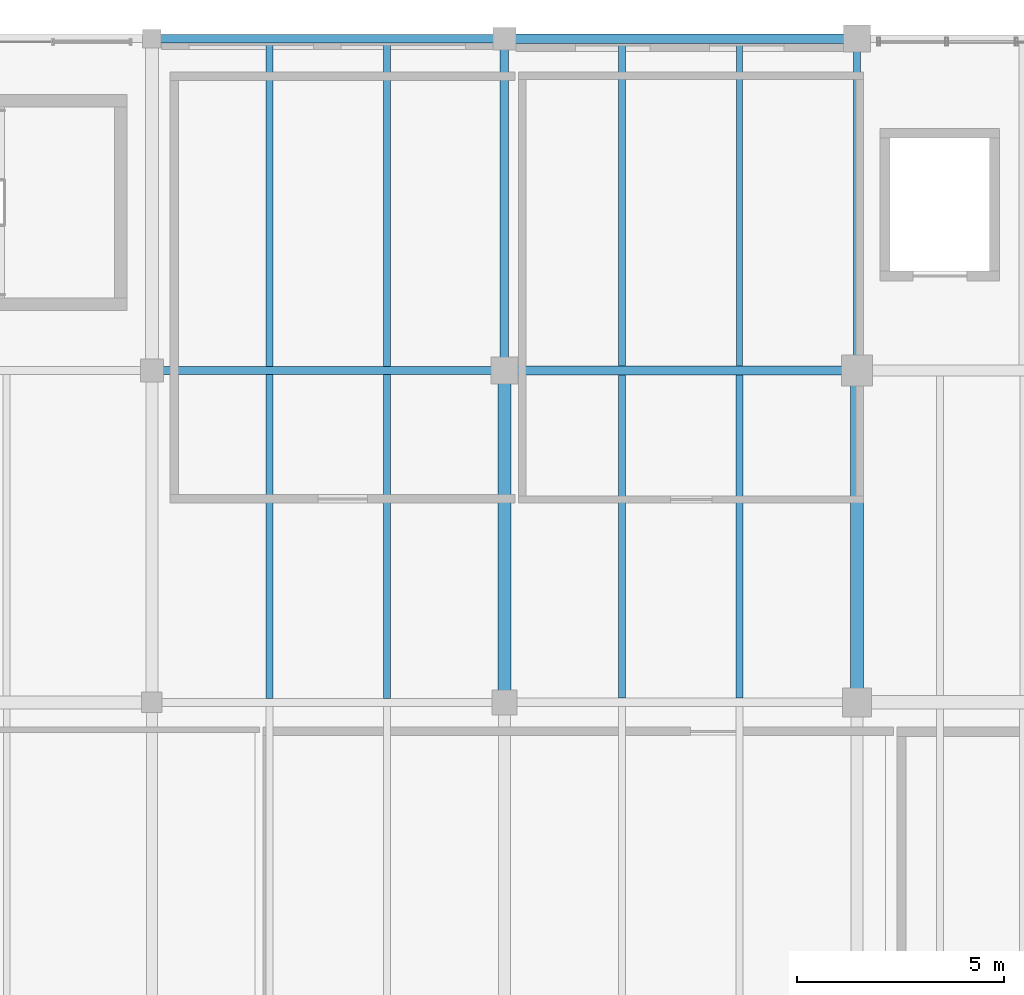
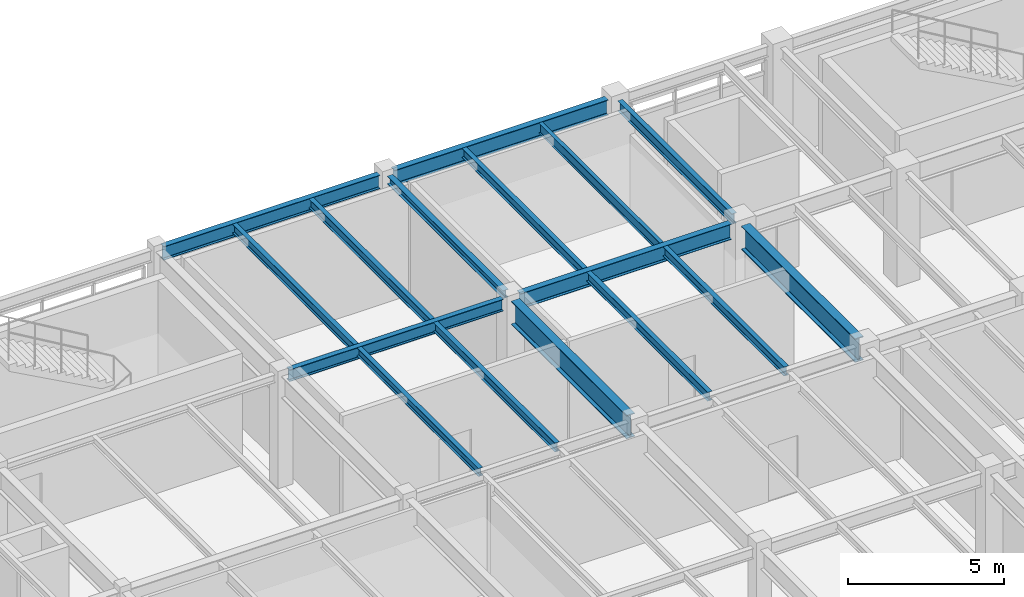
# One storey, part 120 of 168: 16 beams.
"""IFC4 building model written with IfcOpenShell, lengths in metres."""

from ifc_helpers import new_model, si_unit, direction, frame, origin, origin_2d, place, context, subcontext, project, spatial, i_section, extrude, material, material_profile, profile_set, type_object, element, save


model = new_model("IFC4")

# Units and contexts
model_context = context("Model", 3, precision=1e-05, world=origin(), true_north=direction((0.0, 1.0)))
body_context = subcontext(model_context, "Body", "Model", "MODEL_VIEW")
ifc_project = project(units=[si_unit("LENGTHUNIT", "METRE"), si_unit("AREAUNIT", "SQUARE_METRE"), si_unit("VOLUMEUNIT", "CUBIC_METRE"), si_unit("PLANEANGLEUNIT", "RADIAN"), si_unit("MASSUNIT", "GRAM", prefix="KILO"), si_unit("THERMODYNAMICTEMPERATUREUNIT", "KELVIN"), si_unit("POWERUNIT", "WATT")], contexts=[model_context])

# Site, building, storey
site_placement = place(None, origin())
site = spatial("IfcSite", under=ifc_project, at=site_placement, CompositionType="ELEMENT")
building_placement = place(site_placement, origin())
building = spatial("IfcBuilding", under=site, at=building_placement, Name="Tepalcoro Natatorium and Aquatics Centre", CompositionType="ELEMENT")
storey_placement = place(building_placement, frame((0.0, 0.0, 10.199951171875)))
storey = spatial("IfcBuildingStorey", under=building, at=storey_placement, Name="L02", CompositionType="ELEMENT", Elevation=10.199951171875)

# Beams
ifc_material = material(Name="Steel ASTM A992 Grade 50 (Fy 345 MPa)", Category="steel")
ifc_material_profile_1 = material_profile(ifc_material, i_section(OverallWidth=0.202880859375, OverallDepth=0.304931640625, WebThickness=0.007080078125, FlangeThickness=0.012939453125, FilletRadius=0.013916015625, at=origin_2d()), Name="W12X40")
ifc_profile_set_1 = profile_set([ifc_material_profile_1], Name="Steel ASTM A992 Grade 50 (Fy 345 MPa)")
beam_type_1 = type_object("IfcBeamType", Name="BM_W12x40", PredefinedType="BEAM", material=ifc_profile_set_1)
beam_1_placement = place(storey_placement, frame((150.5, 110.31005859375, 4.212646484375), z_axis=(0.0, 1.0, 0.0), x_axis=(-1.0, 0.0, 0.0)))
element("IfcBeam", 1, at=beam_1_placement, inside=storey, type_object=beam_type_1, Name="V5 L02 Grid Girder Y", PredefinedType="BEAM", context=body_context, shape_type="SweptSolid", body=[
    extrude(i_section(OverallWidth=0.202880859375, OverallDepth=0.304931640625, WebThickness=0.007080078125, FlangeThickness=0.012939453125, FilletRadius=0.013916015625, at=origin_2d()), origin(), (0.0, 0.0, 1.0), 7.429931640625),
])
ifc_material_profile_2 = material_profile(ifc_material, i_section(OverallWidth=0.177978515625, OverallDepth=0.406005859375, WebThickness=0.008056640625, FlangeThickness=0.012939453125, FilletRadius=0.013916015625, at=origin_2d()), Name="W16X40")
ifc_profile_set_2 = profile_set([ifc_material_profile_2], Name="Steel ASTM A992 Grade 50 (Fy 345 MPa)")
beam_type_2 = type_object("IfcBeamType", Name="BM_W16x40", PredefinedType="BEAM", material=ifc_profile_set_2)
beam_2_placement = place(storey_placement, frame((159.0, 110.360107421875, 4.162109375), z_axis=(0.0, 1.0, 0.0), x_axis=(-1.0, 0.0, 0.0)))
element("IfcBeam", 2, at=beam_2_placement, inside=storey, type_object=beam_type_2, Name="V5 L02 Grid Girder Y", PredefinedType="BEAM", context=body_context, shape_type="SweptSolid", body=[
    extrude(i_section(OverallWidth=0.177978515625, OverallDepth=0.406005859375, WebThickness=0.008056640625, FlangeThickness=0.012939453125, FilletRadius=0.013916015625, at=origin_2d()), origin(), (0.0, 0.0, 1.0), 7.329833984375),
])
ifc_material_profile_3 = material_profile(ifc_material, i_section(OverallWidth=0.193115234375, OverallDepth=0.467041015625, WebThickness=0.010986328125, FlangeThickness=0.01904296875, FilletRadius=0.013916015625, at=origin_2d()), Name="W18X65")
ifc_profile_set_3 = profile_set([ifc_material_profile_3], Name="Steel ASTM A992 Grade 50 (Fy 345 MPa)")
beam_type_3 = type_object("IfcBeamType", Name="BM_W18x65", PredefinedType="BEAM", material=ifc_profile_set_3)
beam_3_placement = place(storey_placement, frame((142.260009765625, 110.0, 4.131591796875), z_axis=(1.0, 0.0, 0.0), x_axis=(0.0, 1.0, 0.0)))
element("IfcBeam", 3, at=beam_3_placement, inside=storey, type_object=beam_type_3, Name="V5 L02 Grid Girder X", PredefinedType="BEAM", context=body_context, shape_type="SweptSolid", body=[
    extrude(i_section(OverallWidth=0.193115234375, OverallDepth=0.467041015625, WebThickness=0.010986328125, FlangeThickness=0.01904296875, FilletRadius=0.013916015625, at=origin_2d()), origin(), (0.0, 0.0, 1.0), 7.929931640625),
])
ifc_material_profile_4 = material_profile(ifc_material, i_section(OverallWidth=0.22802734375, OverallDepth=0.60693359375, WebThickness=0.010986328125, FlangeThickness=0.01708984375, FilletRadius=0.013916015625, at=origin_2d()), Name="W24X76")
ifc_profile_set_4 = profile_set([ifc_material_profile_4], Name="Steel ASTM A992 Grade 50 (Fy 345 MPa)")
beam_type_4 = type_object("IfcBeamType", Name="BM_W24x76", PredefinedType="BEAM", material=ifc_profile_set_4)
beam_4_placement = place(storey_placement, frame((150.81005859375, 110.0, 4.0615234375), z_axis=(1.0, 0.0, 0.0), x_axis=(0.0, 1.0, 0.0)))
element("IfcBeam", 4, at=beam_4_placement, inside=storey, type_object=beam_type_4, Name="V5 L02 Grid Girder X", PredefinedType="BEAM", context=body_context, shape_type="SweptSolid", body=[
    extrude(i_section(OverallWidth=0.22802734375, OverallDepth=0.60693359375, WebThickness=0.010986328125, FlangeThickness=0.01708984375, FilletRadius=0.013916015625, at=origin_2d()), origin(), (0.0, 0.0, 1.0), 7.829833984375),
])
ifc_material_profile_5 = material_profile(ifc_material, i_section(OverallWidth=0.304931640625, OverallDepth=0.9189453125, WebThickness=0.01708984375, FlangeThickness=0.028076171875, FilletRadius=0.013916015625, at=origin_2d()), Name="W36X170")
ifc_profile_set_5 = profile_set([ifc_material_profile_5], Name="Steel ASTM A992 Grade 50 (Fy 345 MPa)")
beam_type_5 = type_object("IfcBeamType", Name="BM_W36x170", PredefinedType="BEAM", material=ifc_profile_set_5)
beam_5_placement = place(storey_placement, frame((150.5, 102.284912109375, 3.905517578125), z_axis=(0.0, 1.0, 0.0), x_axis=(-1.0, 0.0, 0.0)))
element("IfcBeam", 5, at=beam_5_placement, inside=storey, type_object=beam_type_5, Name="V5 L02 Grid Girder Y", PredefinedType="BEAM", context=body_context, shape_type="SweptSolid", body=[
    extrude(i_section(OverallWidth=0.304931640625, OverallDepth=0.9189453125, WebThickness=0.01708984375, FlangeThickness=0.028076171875, FilletRadius=0.013916015625, at=origin_2d()), origin(), (0.0, 0.0, 1.0), 7.405029296875),
])
ifc_material_profile_6 = material_profile(ifc_material, i_section(OverallWidth=0.31005859375, OverallDepth=0.931884765625, WebThickness=0.02099609375, FlangeThickness=0.034912109375, FilletRadius=0.013916015625, at=origin_2d()), Name="W36X210")
ifc_profile_set_6 = profile_set([ifc_material_profile_6], Name="Steel ASTM A992 Grade 50 (Fy 345 MPa)")
beam_type_6 = type_object("IfcBeamType", Name="BM_W36x210", PredefinedType="BEAM", material=ifc_profile_set_6)
beam_6_placement = place(storey_placement, frame((159.0, 102.3349609375, 3.899169921875), z_axis=(0.0, 1.0, 0.0), x_axis=(-1.0, 0.0, 0.0)))
element("IfcBeam", 6, at=beam_6_placement, inside=storey, type_object=beam_type_6, Name="V5 L02 Grid Girder Y", PredefinedType="BEAM", context=body_context, shape_type="SweptSolid", body=[
    extrude(i_section(OverallWidth=0.31005859375, OverallDepth=0.931884765625, WebThickness=0.02099609375, FlangeThickness=0.034912109375, FilletRadius=0.013916015625, at=origin_2d()), origin(), (0.0, 0.0, 1.0), 7.304931640625),
])
ifc_material_profile_7 = material_profile(ifc_material, i_section(OverallWidth=0.1669921875, OverallDepth=0.318115234375, WebThickness=0.008056640625, FlangeThickness=0.012939453125, FilletRadius=0.013916015625, at=origin_2d()), Name="W12X35")
ifc_profile_set_7 = profile_set([ifc_material_profile_7], Name="Steel ASTM A992 Grade 50 (Fy 345 MPa)")
beam_type_7 = type_object("IfcBeamType", Name="JS_W12x35", PredefinedType="JOIST", material=ifc_profile_set_7)
beam_7_placement = place(storey_placement, frame((144.833251953125, 102.095458984375, 4.2060546875), z_axis=(0.0, 1.0, 0.0), x_axis=(-1.0, 0.0, 0.0)))
element("IfcBeam", 7, at=beam_7_placement, inside=storey, type_object=beam_type_7, Name="V5 L02 Floor Joist", PredefinedType="JOIST", context=body_context, shape_type="SweptSolid", body=[
    extrude(i_section(OverallWidth=0.1669921875, OverallDepth=0.318115234375, WebThickness=0.008056640625, FlangeThickness=0.012939453125, FilletRadius=0.013916015625, at=origin_2d()), origin(), (0.0, 0.0, 1.0), 7.80810546875),
])
ifc_material_profile_8 = material_profile(ifc_material, i_section(OverallWidth=0.1708984375, OverallDepth=0.35107421875, WebThickness=0.007080078125, FlangeThickness=0.010009765625, FilletRadius=0.013916015625, at=origin_2d()), Name="W14X30")
ifc_profile_set_8 = profile_set([ifc_material_profile_8], Name="Steel ASTM A992 Grade 50 (Fy 345 MPa)")
beam_type_8 = type_object("IfcBeamType", Name="JS_W14x30", PredefinedType="JOIST", material=ifc_profile_set_8)
beam_8_placement = place(storey_placement, frame((147.666748046875, 102.095458984375, 4.189453125), z_axis=(0.0, 1.0, 0.0), x_axis=(-1.0, 0.0, 0.0)))
element("IfcBeam", 8, at=beam_8_placement, inside=storey, type_object=beam_type_8, Name="V5 L02 Floor Joist", PredefinedType="JOIST", context=body_context, shape_type="SweptSolid", body=[
    extrude(i_section(OverallWidth=0.1708984375, OverallDepth=0.35107421875, WebThickness=0.007080078125, FlangeThickness=0.010009765625, FilletRadius=0.013916015625, at=origin_2d()), origin(), (0.0, 0.0, 1.0), 7.80810546875),
])
beam_9_placement = place(storey_placement, frame((144.833251953125, 110.096435546875, 4.189453125), z_axis=(0.0, 1.0, 0.0), x_axis=(-1.0, 0.0, 0.0)))
element("IfcBeam", 9, at=beam_9_placement, inside=storey, type_object=beam_type_8, Name="V5 L02 Floor Joist", PredefinedType="JOIST", context=body_context, shape_type="SweptSolid", body=[
    extrude(i_section(OverallWidth=0.1708984375, OverallDepth=0.35107421875, WebThickness=0.007080078125, FlangeThickness=0.010009765625, FilletRadius=0.013916015625, at=origin_2d()), origin(), (0.0, 0.0, 1.0), 7.798583984375),
])
beam_10_placement = place(storey_placement, frame((153.333251953125, 102.10595703125, 4.189453125), z_axis=(0.0, 1.0, 0.0), x_axis=(-1.0, 0.0, 0.0)))
element("IfcBeam", 10, at=beam_10_placement, inside=storey, type_object=beam_type_8, Name="V5 L02 Floor Joist", PredefinedType="JOIST", context=body_context, shape_type="SweptSolid", body=[
    extrude(i_section(OverallWidth=0.1708984375, OverallDepth=0.35107421875, WebThickness=0.007080078125, FlangeThickness=0.010009765625, FilletRadius=0.013916015625, at=origin_2d()), origin(), (0.0, 0.0, 1.0), 7.780029296875),
])
ifc_material_profile_9 = material_profile(ifc_material, i_section(OverallWidth=0.172119140625, OverallDepth=0.35791015625, WebThickness=0.008056640625, FlangeThickness=0.012939453125, FilletRadius=0.013916015625, at=origin_2d()), Name="W14X38")
ifc_profile_set_9 = profile_set([ifc_material_profile_9], Name="Steel ASTM A992 Grade 50 (Fy 345 MPa)")
beam_type_9 = type_object("IfcBeamType", Name="JS_W14x38", PredefinedType="JOIST", material=ifc_profile_set_9)
beam_11_placement = place(storey_placement, frame((147.666748046875, 110.096435546875, 4.18603515625), z_axis=(0.0, 1.0, 0.0), x_axis=(-1.0, 0.0, 0.0)))
element("IfcBeam", 11, at=beam_11_placement, inside=storey, type_object=beam_type_9, Name="V5 L02 Floor Joist", PredefinedType="JOIST", context=body_context, shape_type="SweptSolid", body=[
    extrude(i_section(OverallWidth=0.172119140625, OverallDepth=0.35791015625, WebThickness=0.008056640625, FlangeThickness=0.012939453125, FilletRadius=0.013916015625, at=origin_2d()), origin(), (0.0, 0.0, 1.0), 7.798583984375),
])
beam_12_placement = place(storey_placement, frame((156.166748046875, 102.10595703125, 4.18603515625), z_axis=(0.0, 1.0, 0.0), x_axis=(-1.0, 0.0, 0.0)))
element("IfcBeam", 12, at=beam_12_placement, inside=storey, type_object=beam_type_9, Name="V5 L02 Floor Joist", PredefinedType="JOIST", context=body_context, shape_type="SweptSolid", body=[
    extrude(i_section(OverallWidth=0.172119140625, OverallDepth=0.35791015625, WebThickness=0.008056640625, FlangeThickness=0.012939453125, FilletRadius=0.013916015625, at=origin_2d()), origin(), (0.0, 0.0, 1.0), 7.780029296875),
])
beam_13_placement = place(storey_placement, frame((153.333251953125, 110.114013671875, 4.18603515625), z_axis=(0.0, 1.0, 0.0), x_axis=(-1.0, 0.0, 0.0)))
element("IfcBeam", 13, at=beam_13_placement, inside=storey, type_object=beam_type_9, Name="V5 L02 Floor Joist", PredefinedType="JOIST", context=body_context, shape_type="SweptSolid", body=[
    extrude(i_section(OverallWidth=0.172119140625, OverallDepth=0.35791015625, WebThickness=0.008056640625, FlangeThickness=0.012939453125, FilletRadius=0.013916015625, at=origin_2d()), origin(), (0.0, 0.0, 1.0), 7.771484375),
])
ifc_material_profile_10 = material_profile(ifc_material, i_section(OverallWidth=0.139892578125, OverallDepth=0.404052734375, WebThickness=0.007080078125, FlangeThickness=0.010986328125, FilletRadius=0.013916015625, at=origin_2d()), Name="W16X31")
ifc_profile_set_10 = profile_set([ifc_material_profile_10], Name="Steel ASTM A992 Grade 50 (Fy 345 MPa)")
beam_type_10 = type_object("IfcBeamType", Name="JS_W16x31", PredefinedType="JOIST", material=ifc_profile_set_10)
beam_14_placement = place(storey_placement, frame((156.166748046875, 110.114013671875, 4.1630859375), z_axis=(0.0, 1.0, 0.0), x_axis=(-1.0, 0.0, 0.0)))
element("IfcBeam", 14, at=beam_14_placement, inside=storey, type_object=beam_type_10, Name="V5 L02 Floor Joist", PredefinedType="JOIST", context=body_context, shape_type="SweptSolid", body=[
    extrude(i_section(OverallWidth=0.139892578125, OverallDepth=0.404052734375, WebThickness=0.007080078125, FlangeThickness=0.010986328125, FilletRadius=0.013916015625, at=origin_2d()), origin(), (0.0, 0.0, 1.0), 7.771484375),
])
ifc_material_profile_11 = material_profile(ifc_material, i_section(OverallWidth=0.2099609375, OverallDepth=0.535888671875, WebThickness=0.010986328125, FlangeThickness=0.01708984375, FilletRadius=0.013916015625, at=origin_2d()), Name="W21X68")
ifc_profile_set_11 = profile_set([ifc_material_profile_11], Name="Steel ASTM A992 Grade 50 (Fy 345 MPa)")
beam_type_11 = type_object("IfcBeamType", Name="SP_W21x68", PredefinedType="SPANDREL", material=ifc_profile_set_11)
beam_15_placement = place(storey_placement, frame((142.2099609375, 118.0, 4.09716796875), z_axis=(1.0, 0.0, 0.0), x_axis=(0.0, 1.0, 0.0)))
element("IfcBeam", 15, at=beam_15_placement, inside=storey, type_object=beam_type_11, Name="V5 L02 Grid Girder X", PredefinedType="SPANDREL", context=body_context, shape_type="SweptSolid", body=[
    extrude(i_section(OverallWidth=0.2099609375, OverallDepth=0.535888671875, WebThickness=0.010986328125, FlangeThickness=0.01708984375, FilletRadius=0.013916015625, at=origin_2d()), origin(), (0.0, 0.0, 1.0), 8.030029296875),
])
ifc_material_profile_12 = material_profile(ifc_material, i_section(OverallWidth=0.22900390625, OverallDepth=0.612060546875, WebThickness=0.011962890625, FlangeThickness=0.02001953125, FilletRadius=0.013916015625, at=origin_2d()), Name="W24X84")
ifc_profile_set_12 = profile_set([ifc_material_profile_12], Name="Steel ASTM A992 Grade 50 (Fy 345 MPa)")
beam_type_12 = type_object("IfcBeamType", Name="SP_W24x84", PredefinedType="SPANDREL", material=ifc_profile_set_12)
beam_16_placement = place(storey_placement, frame((150.760009765625, 118.0, 4.05908203125), z_axis=(1.0, 0.0, 0.0), x_axis=(0.0, 1.0, 0.0)))
element("IfcBeam", 16, at=beam_16_placement, inside=storey, type_object=beam_type_12, Name="V5 L02 Grid Girder X", PredefinedType="SPANDREL", context=body_context, shape_type="SweptSolid", body=[
    extrude(i_section(OverallWidth=0.22900390625, OverallDepth=0.612060546875, WebThickness=0.011962890625, FlangeThickness=0.02001953125, FilletRadius=0.013916015625, at=origin_2d()), origin(), (0.0, 0.0, 1.0), 7.929931640625),
])

save(model, "model.ifc")
